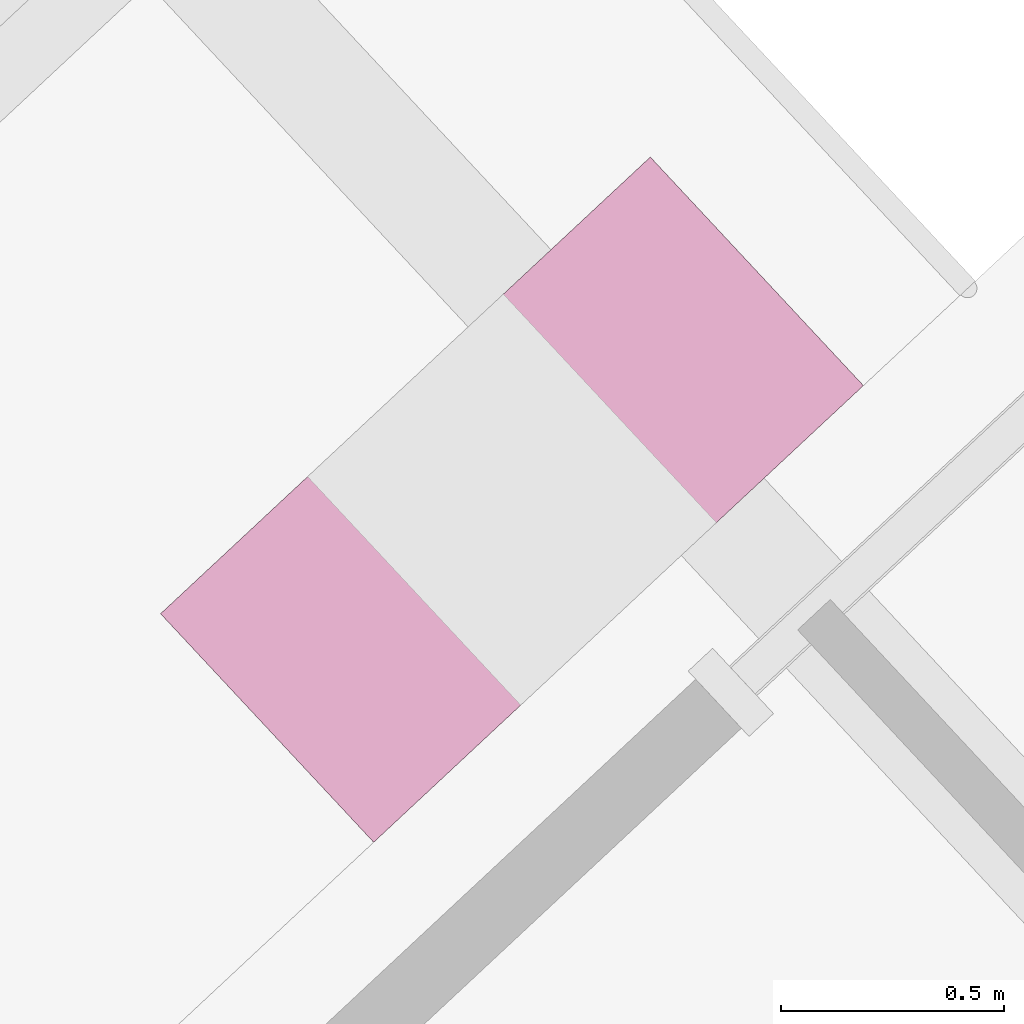
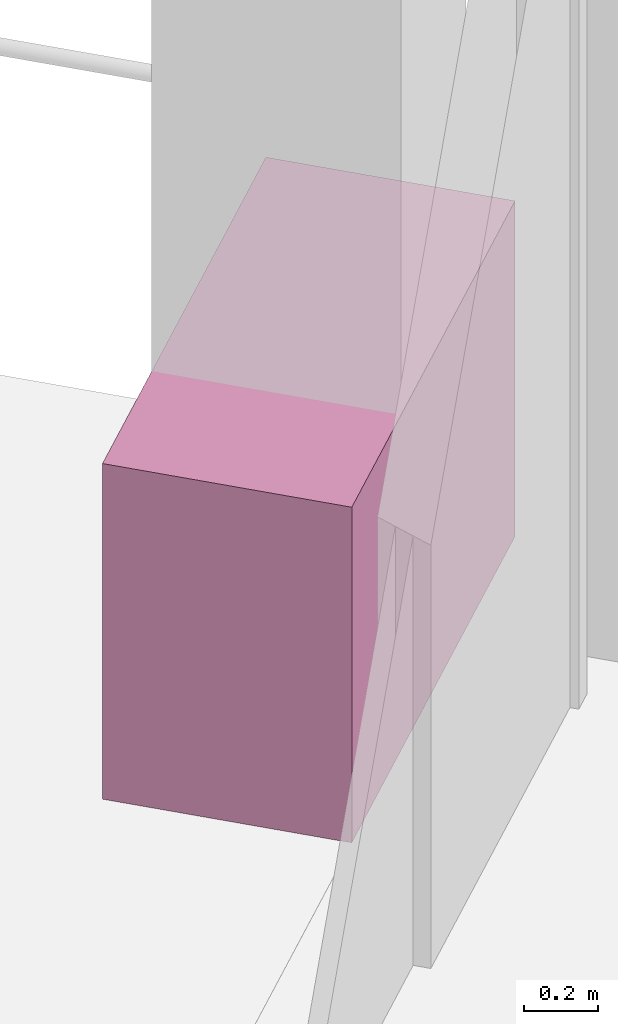
# One storey, part 19 of 20: 1 furniture element.
"""IFC4 building model written with IfcOpenShell, lengths in metres."""

from ifc_helpers import new_model, si_unit, direction, frame, origin, origin_2d, place, context, subcontext, project, spatial, rectangle, extrude, source, transform, mapped, material, type_object, element, save


model = new_model("IFC4")

# Units and contexts
model_context = context("Model", 3, precision=1e-05, world=origin(), true_north=direction((0.0, 1.0)))
body_context = subcontext(model_context, "Body", "Model", "MODEL_VIEW")
ifc_project = project(units=[si_unit("LENGTHUNIT", "METRE"), si_unit("AREAUNIT", "SQUARE_METRE"), si_unit("VOLUMEUNIT", "CUBIC_METRE"), si_unit("PLANEANGLEUNIT", "RADIAN"), si_unit("MASSUNIT", "GRAM", prefix="KILO")], contexts=[model_context])

# Site, building, storey
site_placement = place(None, origin())
site = spatial("IfcSite", under=ifc_project, at=site_placement, CompositionType="ELEMENT")
building_placement = place(site_placement, origin())
building = spatial("IfcBuilding", under=site, at=building_placement, Name="Triune Harvest Tower", CompositionType="ELEMENT")
storey_placement = place(building_placement, frame((0.0, 0.0, 116.300048828125)))
storey = spatial("IfcBuildingStorey", under=building, at=storey_placement, Name="L29", CompositionType="ELEMENT", Elevation=116.300048828125)

# Furniture
ifc_material = material(Name="Concrete 40 MPa", Category="concrete")
furniture_type = type_object("IfcFurnitureType", Name="PB-1 structural planter", AssemblyPlace="SITE", PredefinedType="USERDEFINED", material=ifc_material)
shared_shape = source(origin(), body_context, "Body", "SweptSolid", [
    extrude(rectangle(XDim=1.5, YDim=0.699951171875, at=origin_2d()), origin(), (0.0, 0.0, 1.0), 1.10009765625),
])
furniture_placement = place(storey_placement, frame((-21.850830078125, 10.626708984375, 0.0), z_axis=(0.0, 0.0, 1.0), x_axis=(-0.73135336394, -0.681998722179, 0.0)))
element("IfcFurniture", 1, at=furniture_placement, inside=storey, type_object=furniture_type, Name="Planter B3-F3 L29.9a", ObjectType="PLANTER", PredefinedType="USERDEFINED", context=body_context, shape_type="MappedRepresentation", body=[
    mapped(shared_shape, transform((0.0, 0.0, 0.0), scale=1.0)),
])

save(model, "model.ifc")
